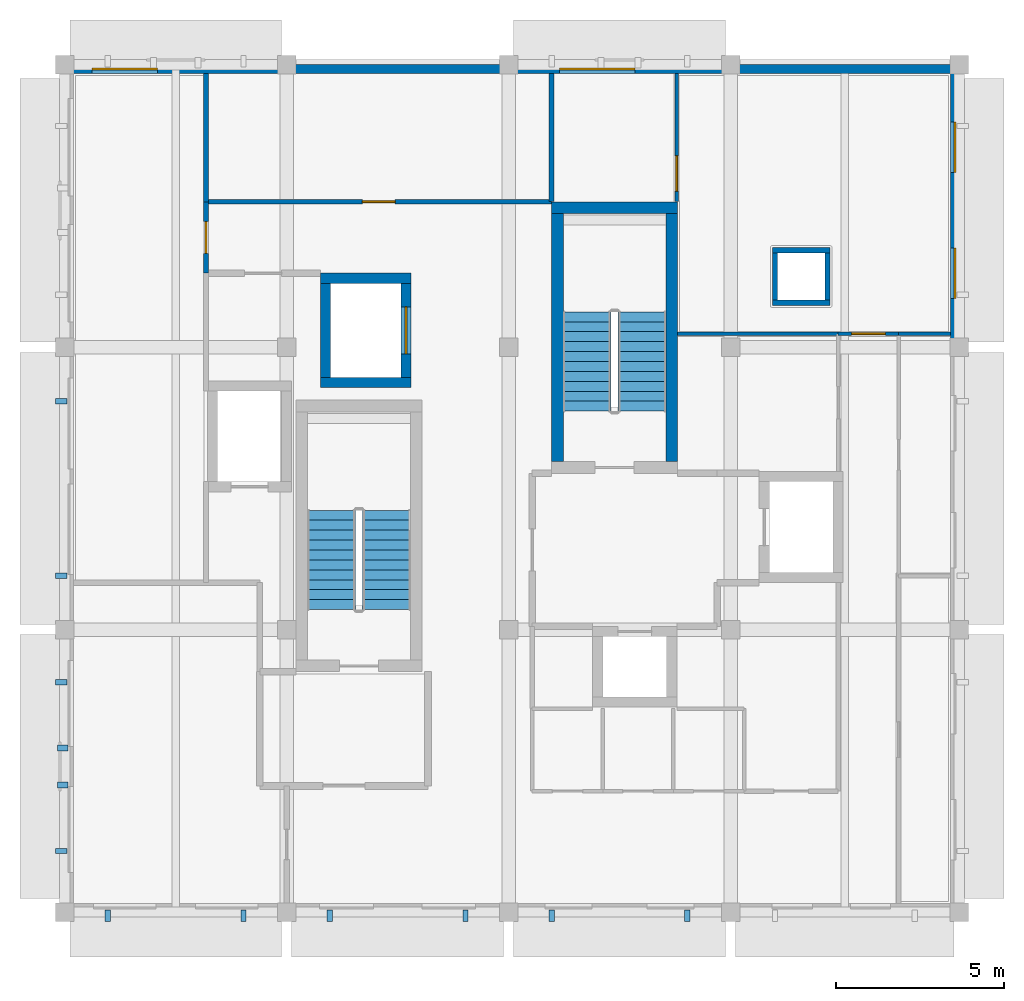
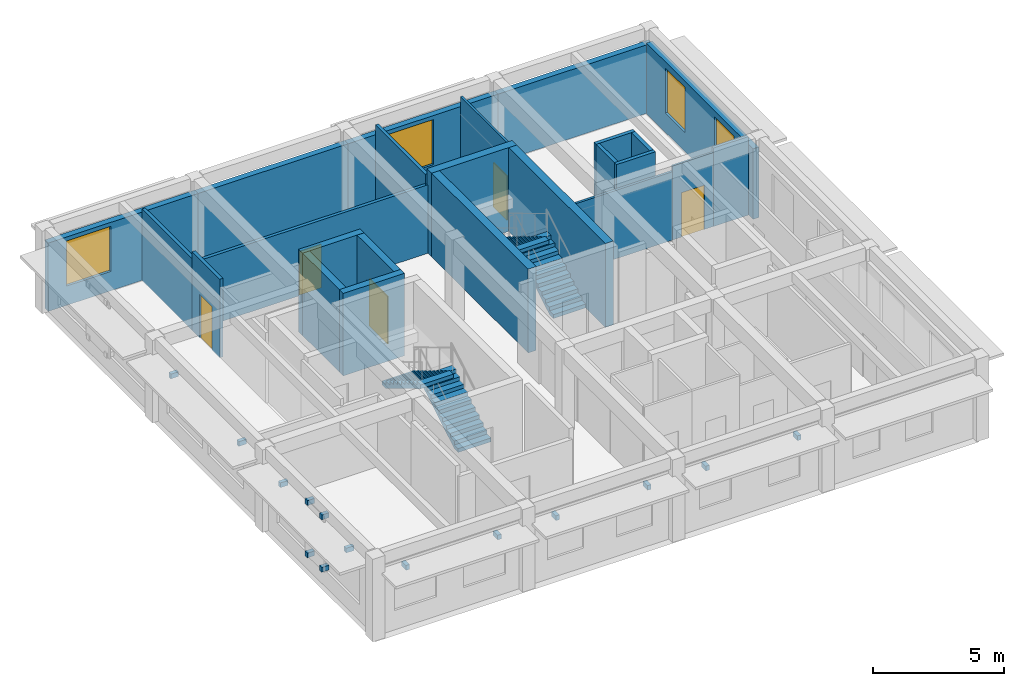
# One storey, part 4 of 7: 24 walls, 14 discrete accessories, 5 doors, 4 stair flights, 4 windows, 9 openings, 2 elements without a shape of their own.
"""IFC4 building model written with IfcOpenShell, lengths in metres."""

from ifc_helpers import new_model, si_unit, direction, frame, frame_2d, origin, origin_2d, place, context, subcontext, project, spatial, polyline, rectangle, outline, extrude, material, layer, layer_set, type_object, element, fill, aggregate, save


model = new_model("IFC4")

# Units and contexts
model_context = context("Model", 3, precision=1e-05, world=origin(), true_north=direction((0.0, 1.0)))
body_context = subcontext(model_context, "Body", "Model", "MODEL_VIEW")
ifc_project = project(units=[si_unit("LENGTHUNIT", "METRE"), si_unit("AREAUNIT", "SQUARE_METRE"), si_unit("VOLUMEUNIT", "CUBIC_METRE"), si_unit("PLANEANGLEUNIT", "RADIAN"), si_unit("MASSUNIT", "GRAM", prefix="KILO")], contexts=[model_context])

# Site, building, storey
site_placement = place(None, origin())
site = spatial("IfcSite", under=ifc_project, at=site_placement, CompositionType="ELEMENT")
building_placement = place(site_placement, origin())
building = spatial("IfcBuilding", under=site, at=building_placement, Name="Kolvaren Faculty of Natural Sciences", CompositionType="ELEMENT")
storey_placement = place(building_placement, frame((0.0, 0.0, 40.5)))
storey = spatial("IfcBuildingStorey", under=building, at=storey_placement, Name="L09", CompositionType="ELEMENT", Elevation=40.5)

# Wall
ifc_material_1 = material(Name="Acoustic mineral-wool insulated gypsum partition")
ifc_layer_1 = layer(ifc_material_1, 0.139892578125)
ifc_layer_set_1 = layer_set([ifc_layer_1], Name="Acoustic mineral-wool insulated gypsum partition")
wall_type_1 = type_object("IfcWallType", Name="CommonsPartitionWall_140", PredefinedType="PARTITIONING", material=ifc_layer_set_1)
wall_1_placement = place(storey_placement, frame((159.875, 83.93798828125, 0.0), z_axis=(0.0, 0.0, 1.0), x_axis=(0.0, -1.0, 0.0)))
element("IfcWall", 1, at=wall_1_placement, inside=storey, type_object=wall_type_1, Name="L09 interior partition PW-140", PredefinedType="PARTITIONING", context=body_context, shape_type="SweptSolid", body=[
    extrude(rectangle(XDim=3.81103515625, YDim=0.139892578125, at=frame_2d((1.905517578125, 0.0))), origin(), (0.0, 0.0, 1.0), 3.655029296875),
])

# Wall, opening, door
wall_2_placement = place(storey_placement, frame((159.875, 80.125, 0.0), z_axis=(0.0, 0.0, 1.0), x_axis=(-1.0, 0.0, 0.0)))
wall_2 = element("IfcWall", 2, at=wall_2_placement, inside=storey, type_object=wall_type_1, Name="L09 interior partition PW-140", PredefinedType="PARTITIONING", context=body_context, shape_type="SweptSolid", body=[
    extrude(rectangle(XDim=10.27490234375, YDim=0.139892578125, at=frame_2d((5.137451171875, 0.0))), origin(), (0.0, 0.0, 1.0), 3.18505859375),
])
opening_1_placement = place(wall_2_placement, frame((4.6474609375, 0.0, 0.0)))
opening_1 = element("IfcOpeningElement", 3, at=opening_1_placement, cuts=wall_2, Name="Opening ID-03", PredefinedType="OPENING", context=body_context, shape_type="SweptSolid", body=[
    extrude(rectangle(XDim=0.97998046875, YDim=2.02001953125, at=frame_2d((0.489990234375, 1.010009765625))), frame((0.0, 0.079833984375, 0.0), z_axis=(0.0, -1.0, 0.0), x_axis=(1.0, 0.0, 0.0)), (0.0, 0.0, 1.0), 0.159912109375),
])
ifc_material_2 = material(Name="Solid-core hardwood veneer door leaf in steel frame", Category="steel")
door_type_1 = type_object("IfcDoorType", Name="InteriorRoomDoor_980x2020", OperationType="NOTDEFINED", PredefinedType="DOOR", material=ifc_material_2)
door_1_placement = place(opening_1_placement, origin())
door_1 = element("IfcDoor", 4, at=door_1_placement, inside=storey, type_object=door_type_1, Name="D-L09-0387", OperationType="SINGLE_SWING_RIGHT", OverallHeight=2.02001953125, OverallWidth=0.97998046875, PredefinedType="DOOR", context=body_context, shape_type="SweptSolid", body=[
    extrude(rectangle(XDim=0.97998046875, YDim=2.02001953125, at=frame_2d((0.489990234375, 1.010009765625))), frame((0.0, 0.02490234375, 0.0), z_axis=(0.0, -1.0, 0.0), x_axis=(1.0, 0.0, 0.0)), (0.0, 0.0, 1.0), 0.050048828125),
])
fill(opening_1, door_1)

# Wall
ifc_layer_2 = layer(ifc_material_1, 0.14501953125)
ifc_layer_set_2 = layer_set([ifc_layer_2], Name="Acoustic mineral-wool insulated gypsum partition")
wall_type_2 = type_object("IfcWallType", Name="CommonsPartitionWall_145", PredefinedType="PARTITIONING", material=ifc_layer_set_2)
wall_3_placement = place(storey_placement, frame((149.60009765625, 83.93798828125, 0.0), z_axis=(0.0, 0.0, 1.0), x_axis=(0.0, -1.0, 0.0)))
element("IfcWall", 5, at=wall_3_placement, inside=storey, type_object=wall_type_2, Name="L09 interior partition PW-145", PredefinedType="PARTITIONING", context=body_context, shape_type="SweptSolid", body=[
    extrude(rectangle(XDim=3.81298828125, YDim=0.14501953125, at=frame_2d((1.906494140625, 0.0))), origin(), (0.0, 0.0, 1.0), 3.3349609375),
])

# Wall, opening, door
wall_4_placement = place(storey_placement, frame((149.60009765625, 80.125, 0.0), z_axis=(0.0, 0.0, 1.0), x_axis=(0.0, -1.0, 0.0)))
wall_4 = element("IfcWall", 6, at=wall_4_placement, inside=storey, type_object=wall_type_2, Name="L09 interior partition PW-145", PredefinedType="PARTITIONING", context=body_context, shape_type="SweptSolid", body=[
    extrude(rectangle(XDim=2.125, YDim=0.14501953125, at=frame_2d((1.0625, 0.0))), origin(), (0.0, 0.0, 1.0), 3.655029296875),
])
opening_2_placement = place(wall_4_placement, frame((0.592529296875, 0.0, 0.0)))
opening_2 = element("IfcOpeningElement", 7, at=opening_2_placement, cuts=wall_4, Name="Opening ID-02", PredefinedType="OPENING", context=body_context, shape_type="SweptSolid", body=[
    extrude(rectangle(XDim=0.93994140625, YDim=2.02001953125, at=frame_2d((0.469970703125, 1.010009765625))), frame((0.0, 0.08251953125, 0.0), z_axis=(0.0, -1.0, 0.0), x_axis=(1.0, 0.0, 0.0)), (0.0, 0.0, 1.0), 0.1650390625),
])
door_type_2 = type_object("IfcDoorType", Name="InteriorRoomDoor_940x2020", OperationType="NOTDEFINED", PredefinedType="DOOR", material=ifc_material_2)
door_2_placement = place(opening_2_placement, origin())
door_2 = element("IfcDoor", 8, at=door_2_placement, inside=storey, type_object=door_type_2, Name="D-L09-0386", OperationType="SINGLE_SWING_LEFT", OverallHeight=2.02001953125, OverallWidth=0.93994140625, PredefinedType="DOOR", context=body_context, shape_type="SweptSolid", body=[
    extrude(rectangle(XDim=0.93994140625, YDim=2.02001953125, at=frame_2d((0.469970703125, 1.010009765625))), frame((0.0, 0.02490234375, 0.0), z_axis=(0.0, -1.0, 0.0), x_axis=(1.0, 0.0, 0.0)), (0.0, 0.0, 1.0), 0.050048828125),
])
fill(opening_2, door_2)

# Walls
ifc_material_3 = material(Name="Concrete C40/50", Category="concrete")
ifc_layer_3 = layer(ifc_material_3, 0.35009765625)
ifc_layer_set_3 = layer_set([ifc_layer_3], Name="Concrete C40/50")
wall_type_3 = type_object("IfcWallType", Name="CoreShearWall_350", PredefinedType="SHEAR", material=ifc_layer_set_3)
wall_5_placement = place(storey_placement, frame((159.875, 79.949951171875, 0.0), z_axis=(0.0, 0.0, 1.0), x_axis=(1.0, 0.0, 0.0)))
element("IfcWall", 9, at=wall_5_placement, inside=storey, type_object=wall_type_3, Name="L09 CORE-C1 stair shear wall N", PredefinedType="SHEAR", context=body_context, shape_type="SweptSolid", body=[
    extrude(rectangle(XDim=3.75, YDim=0.35009765625, at=frame_2d((1.875, 0.0))), origin(), (0.0, 0.0, 1.0), 3.89990234375),
])
for number, where, z_axis, x_axis, name in (
    (10, (160.050048828125, 72.39990234375, 0.0), (0.0, 0.0, 1.0), (0.0, 1.0, 0.0), "L09 CORE-C1 stair shear wall W"),
    (11, (163.449951171875, 72.39990234375, 0.0), (0.0, 0.0, 1.0), (0.0, 1.0, 0.0), "L09 CORE-C1 stair shear wall E"),
):
    element("IfcWall", number, at=place(storey_placement, frame(where, z_axis=z_axis, x_axis=x_axis)), inside=storey, type_object=wall_type_3, Name=name, PredefinedType="SHEAR", context=body_context, shape_type="SweptSolid", body=[
        extrude(rectangle(XDim=7.375, YDim=0.35009765625, at=frame_2d((3.6875, 0.0))), origin(), (0.0, 0.0, 1.0), 3.89990234375),
    ])

# Wall, opening, door
ifc_layer_4 = layer(ifc_material_1, 0.094970703125)
ifc_layer_set_4 = layer_set([ifc_layer_4], Name="Acoustic mineral-wool insulated gypsum partition")
wall_type_4 = type_object("IfcWallType", Name="CubiclePartition_095", PredefinedType="PARTITIONING", material=ifc_layer_set_4)
wall_6_placement = place(storey_placement, frame((170.199951171875, 76.199951171875, 0.0), z_axis=(0.0, 0.0, 1.0), x_axis=(-1.0, 0.0, 0.0)))
wall_6 = element("IfcWall", 12, at=wall_6_placement, inside=storey, type_object=wall_type_4, Name="L09 interior partition PW-095", PredefinedType="PARTITIONING", context=body_context, shape_type="SweptSolid", body=[
    extrude(rectangle(XDim=1.800048828125, YDim=0.094970703125, at=frame_2d((0.89990234375, 0.0))), origin(), (0.0, 0.0, 1.0), 3.43505859375),
])
opening_3_placement = place(wall_6_placement, frame((0.39990234375, 0.0, 0.0)))
opening_3 = element("IfcOpeningElement", 13, at=opening_3_placement, cuts=wall_6, Name="Opening ID-08", PredefinedType="OPENING", context=body_context, shape_type="SweptSolid", body=[
    extrude(rectangle(XDim=1.0, YDim=2.06005859375, at=frame_2d((0.5, 1.030029296875))), frame((0.0, 0.057373046875, 0.0), z_axis=(0.0, -1.0, 0.0), x_axis=(1.0, 0.0, 0.0)), (0.0, 0.0, 1.0), 0.114990234375),
])
door_type_3 = type_object("IfcDoorType", Name="InteriorRoomDoor_1000x2060", OperationType="NOTDEFINED", PredefinedType="DOOR", material=ifc_material_2)
door_3_placement = place(opening_3_placement, origin())
door_3 = element("IfcDoor", 14, at=door_3_placement, inside=storey, type_object=door_type_3, Name="D-L09-0392", OperationType="SINGLE_SWING_LEFT", OverallHeight=2.06005859375, OverallWidth=1.0, PredefinedType="DOOR", context=body_context, shape_type="SweptSolid", body=[
    extrude(rectangle(XDim=1.0, YDim=2.06005859375, at=frame_2d((0.5, 1.030029296875))), frame((0.0, 0.02490234375, 0.0), z_axis=(0.0, -1.0, 0.0), x_axis=(1.0, 0.0, 0.0)), (0.0, 0.0, 1.0), 0.050048828125),
])
fill(opening_3, door_3)

wall_7_placement = place(storey_placement, frame((163.60009765625, 80.126953125, 0.0), z_axis=(0.0, 0.0, 1.0), x_axis=(0.0, 1.0, 0.0)))
wall_7 = element("IfcWall", 15, at=wall_7_placement, inside=storey, type_object=wall_type_4, Name="L09 interior partition PW-095", PredefinedType="PARTITIONING", context=body_context, shape_type="SweptSolid", body=[
    extrude(rectangle(XDim=3.81103515625, YDim=0.094970703125, at=frame_2d((1.905517578125, 0.0))), origin(), (0.0, 0.0, 1.0), 3.655029296875),
])
opening_4_placement = place(wall_7_placement, frame((0.3134765625, 0.0, 0.0)))
opening_4 = element("IfcOpeningElement", 16, at=opening_4_placement, cuts=wall_7, Name="Opening ID-09", PredefinedType="OPENING", context=body_context, shape_type="SweptSolid", body=[
    extrude(rectangle(XDim=1.050048828125, YDim=2.06005859375, at=frame_2d((0.52490234375, 1.030029296875))), frame((0.0, 0.057373046875, 0.0), z_axis=(0.0, -1.0, 0.0), x_axis=(1.0, 0.0, 0.0)), (0.0, 0.0, 1.0), 0.114990234375),
])
door_type_4 = type_object("IfcDoorType", Name="InteriorRoomDoor_1050x2060", OperationType="NOTDEFINED", PredefinedType="DOOR", material=ifc_material_2)
door_4_placement = place(opening_4_placement, origin())
door_4 = element("IfcDoor", 17, at=door_4_placement, inside=storey, type_object=door_type_4, Name="D-L09-0393", OperationType="SINGLE_SWING_RIGHT", OverallHeight=2.06005859375, OverallWidth=1.050048828125, PredefinedType="DOOR", context=body_context, shape_type="SweptSolid", body=[
    extrude(rectangle(XDim=1.050048828125, YDim=2.06005859375, at=frame_2d((0.52490234375, 1.030029296875))), frame((0.0, 0.02490234375, 0.0), z_axis=(0.0, -1.0, 0.0), x_axis=(1.0, 0.0, 0.0)), (0.0, 0.0, 1.0), 0.050048828125),
])
fill(opening_4, door_4)

# Wall, openings, windows
ifc_material_4 = material(Name="Precast concrete C35/45", Category="concrete")
ifc_layer_5 = layer(ifc_material_4, 0.260009765625)
ifc_layer_set_5 = layer_set([ifc_layer_5], Name="Precast concrete C35/45")
wall_type_5 = type_object("IfcWallType", Name="ExteriorPrecastWall_260", PredefinedType="STANDARD", material=ifc_layer_set_5)
wall_8_placement = place(storey_placement, frame((171.8701171875, 83.93994140625, 0.0), z_axis=(0.0, 0.0, 1.0), x_axis=(0.0, -1.0, 0.0)))
wall_8 = element("IfcWall", 18, at=wall_8_placement, inside=storey, type_object=wall_type_5, Name="L09 exterior masonry wall EW-260 (740)", PredefinedType="STANDARD", context=body_context, shape_type="SweptSolid", body=[
    extrude(rectangle(XDim=8.139892578125, YDim=0.260009765625, at=frame_2d((4.06982421875, 0.0))), origin(), (0.0, 0.0, 1.0), 3.284912109375),
])
opening_5_placement = place(wall_8_placement, frame((1.44775390625, 0.0, 0.89990234375)))
opening_5 = element("IfcOpeningElement", 19, at=opening_5_placement, cuts=wall_8, Name="Opening WIN-03", PredefinedType="OPENING", context=body_context, shape_type="SweptSolid", body=[
    extrude(rectangle(XDim=1.5, YDim=2.10009765625, at=frame_2d((0.75, 1.050048828125))), frame((0.0, 0.139892578125, 0.0), z_axis=(0.0, -1.0, 0.0), x_axis=(1.0, 0.0, 0.0)), (0.0, 0.0, 1.0), 0.280029296875),
])
opening_6_placement = place(wall_8_placement, frame((5.192138671875, 0.0, 0.89990234375)))
opening_6 = element("IfcOpeningElement", 20, at=opening_6_placement, cuts=wall_8, Name="Opening WIN-03", PredefinedType="OPENING", context=body_context, shape_type="SweptSolid", body=[
    extrude(rectangle(XDim=1.5, YDim=2.10009765625, at=frame_2d((0.75, 1.050048828125))), frame((0.0, 0.139892578125, 0.0), z_axis=(0.0, -1.0, 0.0), x_axis=(1.0, 0.0, 0.0)), (0.0, 0.0, 1.0), 0.280029296875),
])
ifc_material_5 = material(Name="Double low-E solar control insulated glazing", Category="glass")
window_type_1 = type_object("IfcWindowType", Name="AluWindow_WIN03_1500x2100", PartitioningType="SINGLE_PANEL", PredefinedType="WINDOW", material=ifc_material_5)
window_1_placement = place(opening_5_placement, origin())
window_1 = element("IfcWindow", 21, at=window_1_placement, inside=storey, type_object=window_type_1, Name="WIN-L09-0605", OverallHeight=2.10009765625, OverallWidth=1.5, PartitioningType="SINGLE_PANEL", PredefinedType="WINDOW", context=body_context, shape_type="SweptSolid", body=[
    extrude(rectangle(XDim=1.5, YDim=2.10009765625, at=frame_2d((0.75, 1.050048828125))), frame((0.0, 0.030029296875, 0.0), z_axis=(0.0, -1.0, 0.0), x_axis=(1.0, 0.0, 0.0)), (0.0, 0.0, 1.0), 0.06005859375),
])
fill(opening_5, window_1)
window_2_placement = place(opening_6_placement, origin())
window_2 = element("IfcWindow", 22, at=window_2_placement, inside=storey, type_object=window_type_1, Name="WIN-L09-0606", OverallHeight=2.10009765625, OverallWidth=1.5, PartitioningType="SINGLE_PANEL", PredefinedType="WINDOW", context=body_context, shape_type="SweptSolid", body=[
    extrude(rectangle(XDim=1.5, YDim=2.10009765625, at=frame_2d((0.75, 1.050048828125))), frame((0.0, 0.030029296875, 0.0), z_axis=(0.0, -1.0, 0.0), x_axis=(1.0, 0.0, 0.0)), (0.0, 0.0, 1.0), 0.06005859375),
])
fill(opening_6, window_2)

# Wall, opening, window
wall_9_placement = place(storey_placement, frame((145.39990234375, 84.070068359375, 0.0), z_axis=(0.0, 0.0, 1.0), x_axis=(1.0, 0.0, 0.0)))
wall_9 = element("IfcWall", 23, at=wall_9_placement, inside=storey, type_object=wall_type_5, Name="L09 exterior masonry wall EW-260 (743)", PredefinedType="STANDARD", context=body_context, shape_type="SweptSolid", body=[
    extrude(rectangle(XDim=6.60009765625, YDim=0.260009765625, at=frame_2d((3.300048828125, 0.0))), origin(), (0.0, 0.0, 1.0), 3.18505859375),
])
opening_7_placement = place(wall_9_placement, frame((0.806884765625, 0.0, 0.89990234375)))
opening_7 = element("IfcOpeningElement", 24, at=opening_7_placement, cuts=wall_9, Name="Opening WIN-06", PredefinedType="OPENING", context=body_context, shape_type="SweptSolid", body=[
    extrude(rectangle(XDim=1.949951171875, YDim=2.10009765625, at=frame_2d((0.97509765625, 1.050048828125))), frame((0.0, 0.139892578125, 0.0), z_axis=(0.0, -1.0, 0.0), x_axis=(1.0, 0.0, 0.0)), (0.0, 0.0, 1.0), 0.280029296875),
])
window_type_2 = type_object("IfcWindowType", Name="AluWindow_WIN06_1950x2100", PartitioningType="SINGLE_PANEL", PredefinedType="WINDOW", material=ifc_material_5)
window_3_placement = place(opening_7_placement, origin())
window_3 = element("IfcWindow", 25, at=window_3_placement, inside=storey, type_object=window_type_2, Name="WIN-L09-0611", OverallHeight=2.10009765625, OverallWidth=1.949951171875, PartitioningType="SINGLE_PANEL", PredefinedType="WINDOW", context=body_context, shape_type="SweptSolid", body=[
    extrude(rectangle(XDim=1.949951171875, YDim=2.10009765625, at=frame_2d((0.97509765625, 1.050048828125))), frame((0.0, 0.030029296875, 0.0), z_axis=(0.0, -1.0, 0.0), x_axis=(1.0, 0.0, 0.0)), (0.0, 0.0, 1.0), 0.06005859375),
])
fill(opening_7, window_3)

# Wall
wall_10_placement = place(storey_placement, frame((152.0, 84.070068359375, 0.0), z_axis=(0.0, 0.0, 1.0), x_axis=(1.0, 0.0, 0.0)))
element("IfcWall", 26, at=wall_10_placement, inside=storey, type_object=wall_type_5, Name="L09 exterior masonry wall EW-260 (744)", PredefinedType="STANDARD", context=body_context, shape_type="SweptSolid", body=[
    extrude(rectangle(XDim=6.60009765625, YDim=0.260009765625, at=frame_2d((3.300048828125, 0.0))), origin(), (0.0, 0.0, 1.0), 3.18505859375),
])

# Wall, opening, window
wall_11_placement = place(storey_placement, frame((158.60009765625, 84.070068359375, 0.0), z_axis=(0.0, 0.0, 1.0), x_axis=(1.0, 0.0, 0.0)))
wall_11 = element("IfcWall", 27, at=wall_11_placement, inside=storey, type_object=wall_type_5, Name="L09 exterior masonry wall EW-260 (745)", PredefinedType="STANDARD", context=body_context, shape_type="SweptSolid", body=[
    extrude(rectangle(XDim=6.599853515625, YDim=0.260009765625, at=frame_2d((3.2998046875, 0.0))), origin(), (0.0, 0.0, 1.0), 3.18505859375),
])
opening_8_placement = place(wall_11_placement, frame((1.514892578125, 0.0, 0.89990234375)))
opening_8 = element("IfcOpeningElement", 28, at=opening_8_placement, cuts=wall_11, Name="Opening WIN-08", PredefinedType="OPENING", context=body_context, shape_type="SweptSolid", body=[
    extrude(rectangle(XDim=2.25, YDim=2.10009765625, at=frame_2d((1.125, 1.050048828125))), frame((0.0, 0.139892578125, 0.0), z_axis=(0.0, -1.0, 0.0), x_axis=(1.0, 0.0, 0.0)), (0.0, 0.0, 1.0), 0.280029296875),
])
window_type_3 = type_object("IfcWindowType", Name="AluWindow_WIN08_2250x2100", PartitioningType="SINGLE_PANEL", PredefinedType="WINDOW", material=ifc_material_5)
window_4_placement = place(opening_8_placement, origin())
window_4 = element("IfcWindow", 29, at=window_4_placement, inside=storey, type_object=window_type_3, Name="WIN-L09-0612", OverallHeight=2.10009765625, OverallWidth=2.25, PartitioningType="SINGLE_PANEL", PredefinedType="WINDOW", context=body_context, shape_type="SweptSolid", body=[
    extrude(rectangle(XDim=2.25, YDim=2.10009765625, at=frame_2d((1.125, 1.050048828125))), frame((0.0, 0.030029296875, 0.0), z_axis=(0.0, -1.0, 0.0), x_axis=(1.0, 0.0, 0.0)), (0.0, 0.0, 1.0), 0.06005859375),
])
fill(opening_8, window_4)

# Walls
wall_12_placement = place(storey_placement, frame((165.199951171875, 84.070068359375, 0.0), z_axis=(0.0, 0.0, 1.0), x_axis=(1.0, 0.0, 0.0)))
element("IfcWall", 30, at=wall_12_placement, inside=storey, type_object=wall_type_5, Name="L09 exterior masonry wall EW-260 (746)", PredefinedType="STANDARD", context=body_context, shape_type="SweptSolid", body=[
    extrude(rectangle(XDim=6.800048828125, YDim=0.260009765625, at=frame_2d((3.39990234375, 0.0))), origin(), (0.0, 0.0, 1.0), 3.18505859375),
])
ifc_material_6 = material(Name="Double fire-rated gypsum board on 100 mm steel stud", Category="steel")
ifc_layer_6 = layer(ifc_material_6, 0.159912109375)
ifc_layer_set_6 = layer_set([ifc_layer_6], Name="Double fire-rated gypsum board on 100 mm steel stud")
wall_type_6 = type_object("IfcWallType", Name="RiserShaftWall_160", PredefinedType="PARTITIONING", material=ifc_layer_set_6)
for number, where, z_axis, x_axis, name in (
    (31, (166.43994140625, 77.1201171875, 0.0), (0.0, 0.0, 1.0), (1.0, 0.0, 0.0), "L09 service riser shaft wall S"),
    (32, (166.43994140625, 78.679931640625, 0.0), (0.0, 0.0, 1.0), (1.0, 0.0, 0.0), "L09 service riser shaft wall N"),
):
    element("IfcWall", number, at=place(storey_placement, frame(where, z_axis=z_axis, x_axis=x_axis)), inside=storey, type_object=wall_type_6, Name=name, PredefinedType="PARTITIONING", context=body_context, shape_type="SweptSolid", body=[
        extrude(rectangle(XDim=1.719970703125, YDim=0.159912109375, at=frame_2d((0.85986328125, 0.0))), origin(), (0.0, 0.0, 1.0), 3.655029296875),
    ])
for number, where, z_axis, x_axis, name in (
    (33, (166.52001953125, 77.199951171875, 0.0), (0.0, 0.0, 1.0), (0.0, 1.0, 0.0), "L09 service riser shaft wall W"),
    (34, (168.080078125, 77.199951171875, 0.0), (0.0, 0.0, 1.0), (0.0, 1.0, 0.0), "L09 service riser shaft wall E"),
):
    element("IfcWall", number, at=place(storey_placement, frame(where, z_axis=z_axis, x_axis=x_axis)), inside=storey, type_object=wall_type_6, Name=name, PredefinedType="PARTITIONING", context=body_context, shape_type="SweptSolid", body=[
        extrude(rectangle(XDim=1.400146484375, YDim=0.159912109375, at=frame_2d((0.7001953125, 0.0))), origin(), (0.0, 0.0, 1.0), 3.655029296875),
    ])
ifc_layer_7 = layer(ifc_material_3, 0.300048828125)
ifc_layer_set_7 = layer_set([ifc_layer_7], Name="Concrete C40/50")
wall_type_7 = type_object("IfcWallType", Name="ShaftShearWall_300", PredefinedType="SHEAR", material=ifc_layer_set_7)
for number, where, z_axis, x_axis, name in (
    (35, (153.0, 74.75, 0.0), (0.0, 0.0, 1.0), (1.0, 0.0, 0.0), "L09 lift GL-2 shaft wall S"),
    (36, (153.0, 77.85009765625, 0.0), (0.0, 0.0, 1.0), (1.0, 0.0, 0.0), "L09 lift GL-2 shaft wall N"),
):
    element("IfcWall", number, at=place(storey_placement, frame(where, z_axis=z_axis, x_axis=x_axis)), inside=storey, type_object=wall_type_7, Name=name, PredefinedType="SHEAR", context=body_context, shape_type="SweptSolid", body=[
        extrude(rectangle(XDim=2.699951171875, YDim=0.300048828125, at=frame_2d((1.35009765625, 0.0))), origin(), (0.0, 0.0, 1.0), 3.840087890625),
    ])
wall_13_placement = place(storey_placement, frame((153.14990234375, 74.89990234375, 0.0), z_axis=(0.0, 0.0, 1.0), x_axis=(0.0, 1.0, 0.0)))
element("IfcWall", 37, at=wall_13_placement, inside=storey, type_object=wall_type_7, Name="L09 lift GL-2 shaft wall W", PredefinedType="SHEAR", context=body_context, shape_type="SweptSolid", body=[
    extrude(rectangle(XDim=2.800048828125, YDim=0.300048828125, at=frame_2d((1.39990234375, 0.0))), origin(), (0.0, 0.0, 1.0), 3.840087890625),
])

# Wall, opening, door
wall_14_placement = place(storey_placement, frame((155.550048828125, 74.89990234375, 0.0), z_axis=(0.0, 0.0, 1.0), x_axis=(0.0, 1.0, 0.0)))
wall_14 = element("IfcWall", 38, at=wall_14_placement, inside=storey, type_object=wall_type_7, Name="L09 lift GL-2 shaft wall E", PredefinedType="SHEAR", context=body_context, shape_type="SweptSolid", body=[
    extrude(rectangle(XDim=2.800048828125, YDim=0.300048828125, at=frame_2d((1.39990234375, 0.0))), origin(), (0.0, 0.0, 1.0), 3.840087890625),
])
opening_9_placement = place(wall_14_placement, frame((0.699951171875, 0.0, 0.0)))
opening_9 = element("IfcOpeningElement", 39, at=opening_9_placement, cuts=wall_14, Name="Opening LD-03", PredefinedType="OPENING", context=body_context, shape_type="SweptSolid", body=[
    extrude(rectangle(XDim=1.39990234375, YDim=2.199951171875, at=frame_2d((0.699951171875, 1.10009765625))), frame((0.0, 0.159912109375, 0.0), z_axis=(0.0, -1.0, 0.0), x_axis=(1.0, 0.0, 0.0)), (0.0, 0.0, 1.0), 0.320068359375),
])
ifc_material_7 = material(Name="Brushed stainless steel lift car and sliding door assembly", Category="steel")
door_type_5 = type_object("IfcDoorType", Name="GoodsLiftSliding_1400x2200", OperationType="DOUBLE_DOOR_SLIDING", PredefinedType="DOOR", material=ifc_material_7)
door_5_placement = place(opening_9_placement, origin())
door_5 = element("IfcDoor", 40, at=door_5_placement, inside=storey, type_object=door_type_5, Name="D-LIFT-GL-2-L09", OperationType="DOUBLE_DOOR_SLIDING", OverallHeight=2.199951171875, OverallWidth=1.39990234375, PredefinedType="DOOR", context=body_context, shape_type="SweptSolid", body=[
    extrude(rectangle(XDim=1.39990234375, YDim=2.199951171875, at=frame_2d((0.699951171875, 1.10009765625))), frame((0.0, 0.02490234375, 0.0), z_axis=(0.0, -1.0, 0.0), x_axis=(1.0, 0.0, 0.0)), (0.0, 0.0, 1.0), 0.050048828125),
])
fill(opening_9, door_5)

# Walls
ifc_layer_8 = layer(ifc_material_1, 0.114990234375)
ifc_layer_set_8 = layer_set([ifc_layer_8], Name="Acoustic mineral-wool insulated gypsum partition")
wall_type_8 = type_object("IfcWallType", Name="StorePartitionWall_115", PredefinedType="PARTITIONING", material=ifc_layer_set_8)
wall_15_placement = place(storey_placement, frame((170.199951171875, 76.199951171875, 0.0), z_axis=(0.0, 0.0, 1.0), x_axis=(1.0, 0.0, 0.0)))
element("IfcWall", 41, at=wall_15_placement, inside=storey, type_object=wall_type_8, Name="L09 interior partition PW-115", PredefinedType="PARTITIONING", context=body_context, shape_type="SweptSolid", body=[
    extrude(rectangle(XDim=1.5380859375, YDim=0.114990234375, at=frame_2d((0.76904296875, 0.0))), origin(), (0.0, 0.0, 1.0), 3.655029296875),
])
ifc_layer_9 = layer(ifc_material_1, 0.10498046875)
ifc_layer_set_9 = layer_set([ifc_layer_9], Name="Acoustic mineral-wool insulated gypsum partition")
wall_type_9 = type_object("IfcWallType", Name="WetRoomPartition_105", PredefinedType="PARTITIONING", material=ifc_layer_set_9)
wall_16_placement = place(storey_placement, frame((163.626953125, 76.199951171875, 0.0), z_axis=(0.0, 0.0, 1.0), x_axis=(1.0, 0.0, 0.0)))
element("IfcWall", 42, at=wall_16_placement, inside=storey, type_object=wall_type_9, Name="L09 interior partition PW-105", PredefinedType="PARTITIONING", context=body_context, shape_type="SweptSolid", body=[
    extrude(rectangle(XDim=4.77294921875, YDim=0.10498046875, at=frame_2d((2.386474609375, 0.0))), origin(), (0.0, 0.0, 1.0), 3.18505859375),
])

# Stair, stair flights
ifc_material_8 = material(Name="Concrete C35/45", Category="concrete")
stair_type = type_object("IfcStairType", Name="DoglegStair_H3900", PredefinedType="HALF_TURN_STAIR", material=ifc_material_8)
stair_1_placement = place(storey_placement, origin())
stair_1 = element("IfcStair", 43, at=stair_1_placement, inside=storey, type_object=stair_type, Name="L09 Protected exit stair ST-1", PredefinedType="HALF_TURN_STAIR")
stair_flight_type = type_object("IfcStairFlightType", Name="StairFlight_R1773", PredefinedType="STRAIGHT", material=ifc_material_8)
stair_flight_1_placement = place(storey_placement, frame((162.574951171875, 73.89990234375, 0.0), z_axis=(0.0, 0.0, 1.0), x_axis=(0.0, 1.0, 0.0)))
stair_flight_1 = element("IfcStairFlight", 44, at=stair_flight_1_placement, type_object=stair_flight_type, Name="ST-1 flight 1", NumberOfRisers=11, NumberOfTreads=10, PredefinedType="STRAIGHT", RiserHeight=0.177272727, TreadLength=0.295, context=body_context, shape_type="SweptSolid", body=[
    extrude(outline(polyline([(0.0, 0.0), (0.0, 0.17724609375), (0.294921875, 0.17724609375), (0.294921875, 0.3544921875), (0.590087890625, 0.3544921875), (0.590087890625, 0.53173828125), (0.885009765625, 0.53173828125), (0.885009765625, 0.708984375), (1.179931640625, 0.708984375), (1.179931640625, 0.886474609375), (1.47509765625, 0.886474609375), (1.47509765625, 1.063720703125), (1.77001953125, 1.063720703125), (1.77001953125, 1.240966796875), (2.06494140625, 1.240966796875), (2.06494140625, 1.418212890625), (2.360107421875, 1.418212890625), (2.360107421875, 1.595458984375), (2.655029296875, 1.595458984375), (2.655029296875, 1.772705078125), (2.949951171875, 1.772705078125), (2.949951171875, 1.949951171875), (2.949951171875, 1.597900390625), (0.291015625, 0.0), (0.0, 0.0)])), frame((0.0, 0.72509765625, 0.0), z_axis=(0.0, -1.0, 0.0), x_axis=(1.0, 0.0, 0.0)), (0.0, 0.0, 1.0), 1.449951171875),
])
stair_flight_2_placement = place(storey_placement, frame((160.925048828125, 76.85009765625, 1.949951171875), z_axis=(0.0, 0.0, 1.0), x_axis=(0.0, -1.0, 0.0)))
stair_flight_2 = element("IfcStairFlight", 45, at=stair_flight_2_placement, type_object=stair_flight_type, Name="ST-1 flight 2", NumberOfRisers=11, NumberOfTreads=10, PredefinedType="STRAIGHT", RiserHeight=0.177272727, TreadLength=0.295, context=body_context, shape_type="SweptSolid", body=[
    extrude(outline(polyline([(0.0, 0.0), (0.0, 0.17724609375), (0.294921875, 0.17724609375), (0.294921875, 0.3544921875), (0.590087890625, 0.3544921875), (0.590087890625, 0.53173828125), (0.885009765625, 0.53173828125), (0.885009765625, 0.708984375), (1.179931640625, 0.708984375), (1.179931640625, 0.886474609375), (1.47509765625, 0.886474609375), (1.47509765625, 1.063720703125), (1.77001953125, 1.063720703125), (1.77001953125, 1.240966796875), (2.06494140625, 1.240966796875), (2.06494140625, 1.418212890625), (2.360107421875, 1.418212890625), (2.360107421875, 1.595458984375), (2.655029296875, 1.595458984375), (2.655029296875, 1.772705078125), (2.949951171875, 1.772705078125), (2.949951171875, 1.949951171875), (2.949951171875, 1.597900390625), (0.291015625, 0.0), (0.0, 0.0)])), frame((0.0, 0.72509765625, 0.0), z_axis=(0.0, -1.0, 0.0), x_axis=(1.0, 0.0, 0.0)), (0.0, 0.0, 1.0), 1.449951171875),
])
aggregate(stair_1, [stair_flight_1, stair_flight_2])

stair_2_placement = place(storey_placement, origin())
stair_2 = element("IfcStair", 46, at=stair_2_placement, inside=storey, type_object=stair_type, Name="L09 Protected exit stair ST-2", PredefinedType="HALF_TURN_STAIR")
stair_flight_3_placement = place(storey_placement, frame((154.97509765625, 68.0, 0.0), z_axis=(0.0, 0.0, 1.0), x_axis=(0.0, 1.0, 0.0)))
stair_flight_3 = element("IfcStairFlight", 47, at=stair_flight_3_placement, type_object=stair_flight_type, Name="ST-2 flight 1", NumberOfRisers=11, NumberOfTreads=10, PredefinedType="STRAIGHT", RiserHeight=0.177272727, TreadLength=0.295, context=body_context, shape_type="SweptSolid", body=[
    extrude(outline(polyline([(0.0, 0.0), (0.0, 0.17724609375), (0.294921875, 0.17724609375), (0.294921875, 0.3544921875), (0.590087890625, 0.3544921875), (0.590087890625, 0.53173828125), (0.885009765625, 0.53173828125), (0.885009765625, 0.708984375), (1.179931640625, 0.708984375), (1.179931640625, 0.886474609375), (1.47509765625, 0.886474609375), (1.47509765625, 1.063720703125), (1.77001953125, 1.063720703125), (1.77001953125, 1.240966796875), (2.06494140625, 1.240966796875), (2.06494140625, 1.418212890625), (2.360107421875, 1.418212890625), (2.360107421875, 1.595458984375), (2.655029296875, 1.595458984375), (2.655029296875, 1.772705078125), (2.949951171875, 1.772705078125), (2.949951171875, 1.949951171875), (2.949951171875, 1.597900390625), (0.291015625, 0.0), (0.0, 0.0)])), frame((0.0, 0.72509765625, 0.0), z_axis=(0.0, -1.0, 0.0), x_axis=(1.0, 0.0, 0.0)), (0.0, 0.0, 1.0), 1.449951171875),
])
stair_flight_4_placement = place(storey_placement, frame((153.324951171875, 70.949951171875, 1.949951171875), z_axis=(0.0, 0.0, 1.0), x_axis=(0.0, -1.0, 0.0)))
stair_flight_4 = element("IfcStairFlight", 48, at=stair_flight_4_placement, type_object=stair_flight_type, Name="ST-2 flight 2", NumberOfRisers=11, NumberOfTreads=10, PredefinedType="STRAIGHT", RiserHeight=0.177272727, TreadLength=0.295, context=body_context, shape_type="SweptSolid", body=[
    extrude(outline(polyline([(0.0, 0.0), (0.0, 0.17724609375), (0.294921875, 0.17724609375), (0.294921875, 0.3544921875), (0.590087890625, 0.3544921875), (0.590087890625, 0.53173828125), (0.885009765625, 0.53173828125), (0.885009765625, 0.708984375), (1.179931640625, 0.708984375), (1.179931640625, 0.886474609375), (1.47509765625, 0.886474609375), (1.47509765625, 1.063720703125), (1.77001953125, 1.063720703125), (1.77001953125, 1.240966796875), (2.06494140625, 1.240966796875), (2.06494140625, 1.418212890625), (2.360107421875, 1.418212890625), (2.360107421875, 1.595458984375), (2.655029296875, 1.595458984375), (2.655029296875, 1.772705078125), (2.949951171875, 1.772705078125), (2.949951171875, 1.949951171875), (2.949951171875, 1.597900390625), (0.291015625, 0.0), (0.0, 0.0)])), frame((0.0, 0.72509765625, 0.0), z_axis=(0.0, -1.0, 0.0), x_axis=(1.0, 0.0, 0.0)), (0.0, 0.0, 1.0), 1.449951171875),
])
aggregate(stair_2, [stair_flight_3, stair_flight_4])

# Discrete accessories
ifc_material_9 = material(Name="Structural steel EN 10025-2 S355J2", Category="steel")
discrete_accessory_type = type_object("IfcDiscreteAccessoryType", Name="FacadeSupportBracket_260", PredefinedType="BRACKET", material=ifc_material_9)
for number, where, z_axis, x_axis, name in (
    (49, (145.300048828125, 60.8212890625, 2.9150390625), (0.0, 0.0, 1.0), (0.0, 1.0, 0.0), "L09 chhajja hood steel bracket"),
    (50, (145.300048828125, 65.8388671875, 2.9150390625), (0.0, 0.0, 1.0), (0.0, 1.0, 0.0), "L09 chhajja hood steel bracket"),
):
    element("IfcDiscreteAccessory", number, at=place(storey_placement, frame(where, z_axis=z_axis, x_axis=x_axis)), inside=storey, type_object=discrete_accessory_type, Name=name, PredefinedType="BRACKET", context=body_context, shape_type="SweptSolid", body=[
        extrude(rectangle(XDim=0.159912109375, YDim=0.340087890625, at=origin_2d()), origin(), (0.0, 0.0, 1.0), 0.219970703125),
    ])
for number, where, z_axis, x_axis, name in (
    (51, (145.340087890625, 62.779052734375, 0.81982421875), (0.0, 0.0, 1.0), (0.0, 1.0, 0.0), "L09 jali screen wall bracket"),
    (52, (145.340087890625, 63.881103515625, 0.81982421875), (0.0, 0.0, 1.0), (0.0, 1.0, 0.0), "L09 jali screen wall bracket"),
    (53, (145.340087890625, 62.779052734375, 3.26025390625), (0.0, 0.0, 1.0), (0.0, 1.0, 0.0), "L09 jali screen wall bracket"),
    (54, (145.340087890625, 63.881103515625, 3.26025390625), (0.0, 0.0, 1.0), (0.0, 1.0, 0.0), "L09 jali screen wall bracket"),
):
    element("IfcDiscreteAccessory", number, at=place(storey_placement, frame(where, z_axis=z_axis, x_axis=x_axis)), inside=storey, type_object=discrete_accessory_type, Name=name, PredefinedType="BRACKET", context=body_context, shape_type="SweptSolid", body=[
        extrude(rectangle(XDim=0.179931640625, YDim=0.320068359375, at=origin_2d()), origin(), (0.0, 0.0, 1.0), 0.219970703125),
    ])
for number, where, z_axis, x_axis, name in (
    (55, (145.300048828125, 69.008056640625, 2.9150390625), (0.0, 0.0, 1.0), (0.0, 1.0, 0.0), "L09 chhajja hood steel bracket"),
    (56, (145.300048828125, 74.19189453125, 2.9150390625), (0.0, 0.0, 1.0), (0.0, 1.0, 0.0), "L09 chhajja hood steel bracket"),
    (57, (163.916015625, 58.89990234375, 2.81494140625), (0.0, 0.0, 1.0), (-1.0, 0.0, 0.0), "L09 chhajja hood steel bracket"),
    (58, (159.884033203125, 58.89990234375, 2.81494140625), (0.0, 0.0, 1.0), (-1.0, 0.0, 0.0), "L09 chhajja hood steel bracket"),
    (59, (157.31591796875, 58.89990234375, 2.81494140625), (0.0, 0.0, 1.0), (-1.0, 0.0, 0.0), "L09 chhajja hood steel bracket"),
    (60, (153.283935546875, 58.89990234375, 2.81494140625), (0.0, 0.0, 1.0), (-1.0, 0.0, 0.0), "L09 chhajja hood steel bracket"),
    (61, (150.716064453125, 58.89990234375, 2.81494140625), (0.0, 0.0, 1.0), (-1.0, 0.0, 0.0), "L09 chhajja hood steel bracket"),
    (62, (146.68408203125, 58.89990234375, 2.81494140625), (0.0, 0.0, 1.0), (-1.0, 0.0, 0.0), "L09 chhajja hood steel bracket"),
):
    element("IfcDiscreteAccessory", number, at=place(storey_placement, frame(where, z_axis=z_axis, x_axis=x_axis)), inside=storey, type_object=discrete_accessory_type, Name=name, PredefinedType="BRACKET", context=body_context, shape_type="SweptSolid", body=[
        extrude(rectangle(XDim=0.159912109375, YDim=0.340087890625, at=origin_2d()), origin(), (0.0, 0.0, 1.0), 0.219970703125),
    ])

save(model, "model.ifc")
